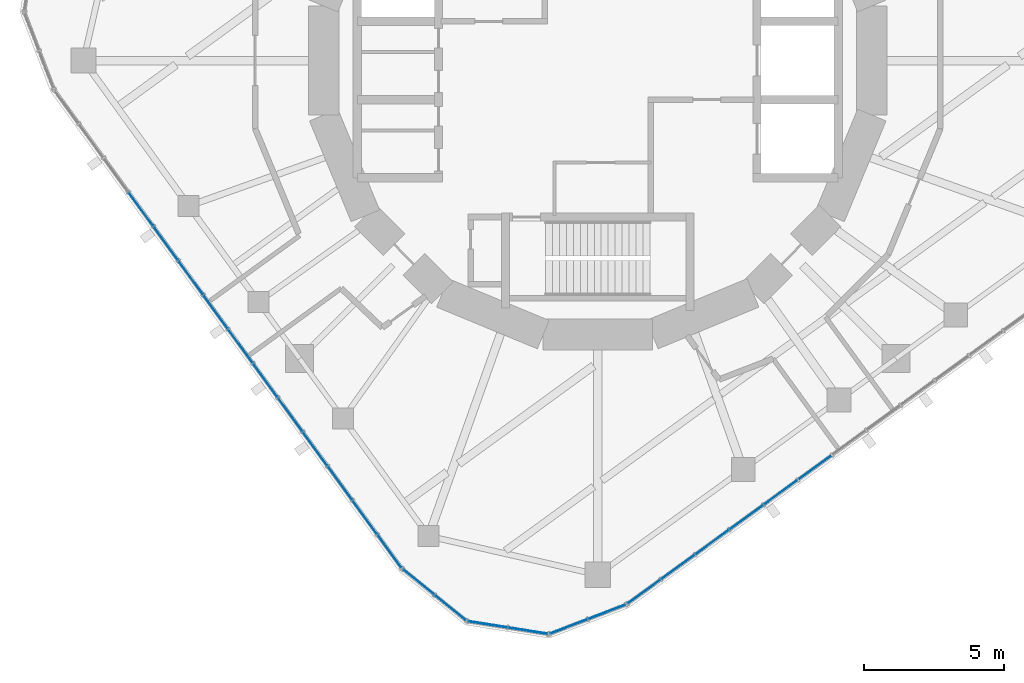
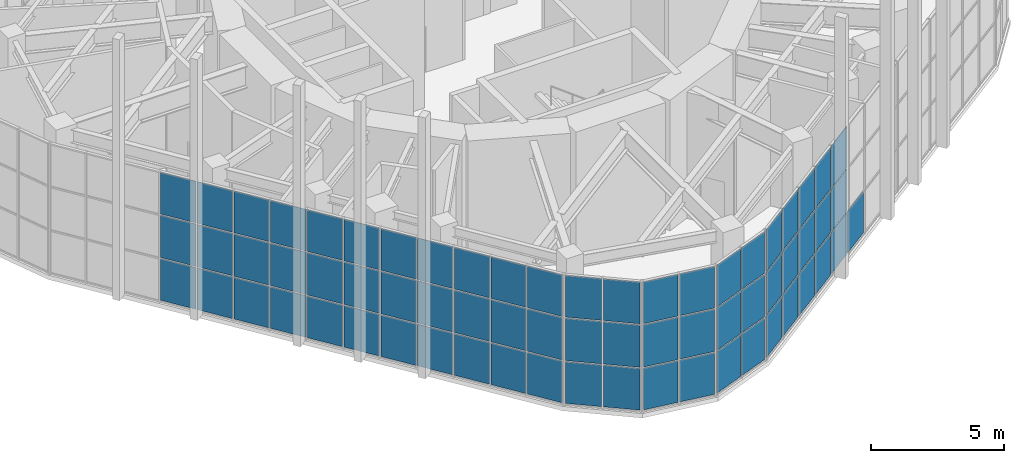
# One storey, part 11 of 17: 67 plates, 5 elements without a shape of their own.
"""IFC4 building model written with IfcOpenShell, lengths in metres."""

from ifc_helpers import new_model, si_unit, direction, frame, origin, origin_2d, place, context, subcontext, project, spatial, rectangle, extrude, material, layer, layer_set, type_object, element, aggregate, save


model = new_model("IFC4")

# Units and contexts
model_context = context("Model", 3, precision=1e-05, world=origin(), true_north=direction((0.0, 1.0)))
body_context = subcontext(model_context, "Body", "Model", "MODEL_VIEW")
ifc_project = project(units=[si_unit("LENGTHUNIT", "METRE"), si_unit("AREAUNIT", "SQUARE_METRE"), si_unit("VOLUMEUNIT", "CUBIC_METRE"), si_unit("PLANEANGLEUNIT", "RADIAN"), si_unit("MASSUNIT", "GRAM", prefix="KILO")], contexts=[model_context])

# Site, building, storey
site_placement = place(None, origin())
site = spatial("IfcSite", under=ifc_project, at=site_placement, CompositionType="ELEMENT")
building_placement = place(site_placement, origin())
building = spatial("IfcBuilding", under=site, at=building_placement, Name="Nakasero Lantern House", CompositionType="ELEMENT")
storey_placement = place(building_placement, frame((0.0, 0.0, 298.39990234375)))
storey = spatial("IfcBuildingStorey", under=building, at=storey_placement, Name="L73", CompositionType="ELEMENT", Elevation=298.39990234375)

# Curtain wall, plates
ifc_material_1 = material(Name="Aluminium 6063-T6 and glass", Category="aluminium")
curtain_wall_type = type_object("IfcCurtainWallType", Name="Lantern glazing CW-4", PredefinedType="USERDEFINED", material=ifc_material_1)
curtain_wall_1_placement = place(storey_placement, origin())
curtain_wall_1 = element("IfcCurtainWall", 1, at=curtain_wall_1_placement, inside=storey, type_object=curtain_wall_type, Name="Curtain wall CW-4 L73", ObjectType="UNITISED CURTAIN WALL", PredefinedType="USERDEFINED")
ifc_material_2 = material(Name="Glass", Category="glass")
ifc_layer = layer(ifc_material_2, 0.028076171875)
ifc_layer_set = layer_set([ifc_layer], Name="Glazed panel CW-4")
plate_type = type_object("IfcPlateType", Name="Glazed panel CW-4", PredefinedType="CURTAIN_PANEL", material=ifc_layer_set)
plate_1_placement = place(storey_placement, frame((-16.3427734375, -5.322509765625, 0.06005859375), z_axis=(0.0, 0.0, 1.0), x_axis=(0.587785252292, -0.809016994375, 0.0)))
plate_1 = element("IfcPlate", 2, at=plate_1_placement, type_object=plate_type, Name="CW-4 panel 4.1", PredefinedType="CURTAIN_PANEL", context=body_context, shape_type="SweptSolid", body=[
    extrude(rectangle(XDim=1.454345703125, YDim=0.028076171875, at=origin_2d()), origin(), (0.0, 0.0, 1.0), 1.909912109375),
])
plate_2_placement = place(storey_placement, frame((-16.3427734375, -5.322509765625, 2.030029296875), z_axis=(0.0, 0.0, 1.0), x_axis=(0.587785252292, -0.809016994375, 0.0)))
plate_2 = element("IfcPlate", 3, at=plate_2_placement, type_object=plate_type, Name="CW-4 panel 4.2", PredefinedType="CURTAIN_PANEL", context=body_context, shape_type="SweptSolid", body=[
    extrude(rectangle(XDim=1.454345703125, YDim=0.028076171875, at=origin_2d()), origin(), (0.0, 0.0, 1.0), 1.93994140625),
])
plate_3_placement = place(storey_placement, frame((-16.3427734375, -5.322509765625, 4.0302734375), z_axis=(0.0, 0.0, 1.0), x_axis=(0.587785252292, -0.809016994375, 0.0)))
plate_3 = element("IfcPlate", 4, at=plate_3_placement, type_object=plate_type, Name="CW-4 panel 4.3", PredefinedType="CURTAIN_PANEL", context=body_context, shape_type="SweptSolid", body=[
    extrude(rectangle(XDim=1.454345703125, YDim=0.028076171875, at=origin_2d()), origin(), (0.0, 0.0, 1.0), 1.909912109375),
])
plate_4_placement = place(storey_placement, frame((-15.45263671875, -6.547607421875, 0.06005859375), z_axis=(0.0, 0.0, 1.0), x_axis=(0.587785252292, -0.809016994375, 0.0)))
plate_4 = element("IfcPlate", 5, at=plate_4_placement, type_object=plate_type, Name="CW-4 panel 5.1", PredefinedType="CURTAIN_PANEL", context=body_context, shape_type="SweptSolid", body=[
    extrude(rectangle(XDim=1.454345703125, YDim=0.028076171875, at=origin_2d()), origin(), (0.0, 0.0, 1.0), 1.909912109375),
])
plate_5_placement = place(storey_placement, frame((-15.45263671875, -6.547607421875, 2.030029296875), z_axis=(0.0, 0.0, 1.0), x_axis=(0.587785252292, -0.809016994375, 0.0)))
plate_5 = element("IfcPlate", 6, at=plate_5_placement, type_object=plate_type, Name="CW-4 panel 5.2", PredefinedType="CURTAIN_PANEL", context=body_context, shape_type="SweptSolid", body=[
    extrude(rectangle(XDim=1.454345703125, YDim=0.028076171875, at=origin_2d()), origin(), (0.0, 0.0, 1.0), 1.93994140625),
])
plate_6_placement = place(storey_placement, frame((-15.45263671875, -6.547607421875, 4.0302734375), z_axis=(0.0, 0.0, 1.0), x_axis=(0.587785252292, -0.809016994375, 0.0)))
plate_6 = element("IfcPlate", 7, at=plate_6_placement, type_object=plate_type, Name="CW-4 panel 5.3", PredefinedType="CURTAIN_PANEL", context=body_context, shape_type="SweptSolid", body=[
    extrude(rectangle(XDim=1.454345703125, YDim=0.028076171875, at=origin_2d()), origin(), (0.0, 0.0, 1.0), 1.909912109375),
])
plate_7_placement = place(storey_placement, frame((-14.5625, -7.772705078125, 0.06005859375), z_axis=(0.0, 0.0, 1.0), x_axis=(0.587785252292, -0.809016994375, 0.0)))
plate_7 = element("IfcPlate", 8, at=plate_7_placement, type_object=plate_type, Name="CW-4 panel 6.1", PredefinedType="CURTAIN_PANEL", context=body_context, shape_type="SweptSolid", body=[
    extrude(rectangle(XDim=1.454345703125, YDim=0.028076171875, at=origin_2d()), origin(), (0.0, 0.0, 1.0), 1.909912109375),
])
plate_8_placement = place(storey_placement, frame((-14.5625, -7.772705078125, 2.030029296875), z_axis=(0.0, 0.0, 1.0), x_axis=(0.587785252292, -0.809016994375, 0.0)))
plate_8 = element("IfcPlate", 9, at=plate_8_placement, type_object=plate_type, Name="CW-4 panel 6.2", PredefinedType="CURTAIN_PANEL", context=body_context, shape_type="SweptSolid", body=[
    extrude(rectangle(XDim=1.454345703125, YDim=0.028076171875, at=origin_2d()), origin(), (0.0, 0.0, 1.0), 1.93994140625),
])
plate_9_placement = place(storey_placement, frame((-14.5625, -7.772705078125, 4.0302734375), z_axis=(0.0, 0.0, 1.0), x_axis=(0.587785252292, -0.809016994375, 0.0)))
plate_9 = element("IfcPlate", 10, at=plate_9_placement, type_object=plate_type, Name="CW-4 panel 6.3", PredefinedType="CURTAIN_PANEL", context=body_context, shape_type="SweptSolid", body=[
    extrude(rectangle(XDim=1.454345703125, YDim=0.028076171875, at=origin_2d()), origin(), (0.0, 0.0, 1.0), 1.909912109375),
])
plate_10_placement = place(storey_placement, frame((-13.67236328125, -8.997802734375, 0.06005859375), z_axis=(0.0, 0.0, 1.0), x_axis=(0.587785252292, -0.809016994375, 0.0)))
plate_10 = element("IfcPlate", 11, at=plate_10_placement, type_object=plate_type, Name="CW-4 panel 7.1", PredefinedType="CURTAIN_PANEL", context=body_context, shape_type="SweptSolid", body=[
    extrude(rectangle(XDim=1.454345703125, YDim=0.028076171875, at=origin_2d()), origin(), (0.0, 0.0, 1.0), 1.909912109375),
])
plate_11_placement = place(storey_placement, frame((-13.67236328125, -8.997802734375, 2.030029296875), z_axis=(0.0, 0.0, 1.0), x_axis=(0.587785252292, -0.809016994375, 0.0)))
plate_11 = element("IfcPlate", 12, at=plate_11_placement, type_object=plate_type, Name="CW-4 panel 7.2", PredefinedType="CURTAIN_PANEL", context=body_context, shape_type="SweptSolid", body=[
    extrude(rectangle(XDim=1.454345703125, YDim=0.028076171875, at=origin_2d()), origin(), (0.0, 0.0, 1.0), 1.93994140625),
])
plate_12_placement = place(storey_placement, frame((-13.67236328125, -8.997802734375, 4.0302734375), z_axis=(0.0, 0.0, 1.0), x_axis=(0.587785252292, -0.809016994375, 0.0)))
plate_12 = element("IfcPlate", 13, at=plate_12_placement, type_object=plate_type, Name="CW-4 panel 7.3", PredefinedType="CURTAIN_PANEL", context=body_context, shape_type="SweptSolid", body=[
    extrude(rectangle(XDim=1.454345703125, YDim=0.028076171875, at=origin_2d()), origin(), (0.0, 0.0, 1.0), 1.909912109375),
])
plate_13_placement = place(storey_placement, frame((-12.782470703125, -10.222900390625, 0.06005859375), z_axis=(0.0, 0.0, 1.0), x_axis=(0.587785252292, -0.809016994375, 0.0)))
plate_13 = element("IfcPlate", 14, at=plate_13_placement, type_object=plate_type, Name="CW-4 panel 8.1", PredefinedType="CURTAIN_PANEL", context=body_context, shape_type="SweptSolid", body=[
    extrude(rectangle(XDim=1.454345703125, YDim=0.028076171875, at=origin_2d()), origin(), (0.0, 0.0, 1.0), 1.909912109375),
])
plate_14_placement = place(storey_placement, frame((-12.782470703125, -10.222900390625, 2.030029296875), z_axis=(0.0, 0.0, 1.0), x_axis=(0.587785252292, -0.809016994375, 0.0)))
plate_14 = element("IfcPlate", 15, at=plate_14_placement, type_object=plate_type, Name="CW-4 panel 8.2", PredefinedType="CURTAIN_PANEL", context=body_context, shape_type="SweptSolid", body=[
    extrude(rectangle(XDim=1.454345703125, YDim=0.028076171875, at=origin_2d()), origin(), (0.0, 0.0, 1.0), 1.93994140625),
])
plate_15_placement = place(storey_placement, frame((-12.782470703125, -10.222900390625, 4.0302734375), z_axis=(0.0, 0.0, 1.0), x_axis=(0.587785252292, -0.809016994375, 0.0)))
plate_15 = element("IfcPlate", 16, at=plate_15_placement, type_object=plate_type, Name="CW-4 panel 8.3", PredefinedType="CURTAIN_PANEL", context=body_context, shape_type="SweptSolid", body=[
    extrude(rectangle(XDim=1.454345703125, YDim=0.028076171875, at=origin_2d()), origin(), (0.0, 0.0, 1.0), 1.909912109375),
])
plate_16_placement = place(storey_placement, frame((-11.892333984375, -11.447998046875, 0.06005859375), z_axis=(0.0, 0.0, 1.0), x_axis=(0.587785252292, -0.809016994375, 0.0)))
plate_16 = element("IfcPlate", 17, at=plate_16_placement, type_object=plate_type, Name="CW-4 panel 9.1", PredefinedType="CURTAIN_PANEL", context=body_context, shape_type="SweptSolid", body=[
    extrude(rectangle(XDim=1.454345703125, YDim=0.028076171875, at=origin_2d()), origin(), (0.0, 0.0, 1.0), 1.909912109375),
])
plate_17_placement = place(storey_placement, frame((-11.892333984375, -11.447998046875, 2.030029296875), z_axis=(0.0, 0.0, 1.0), x_axis=(0.587785252292, -0.809016994375, 0.0)))
plate_17 = element("IfcPlate", 18, at=plate_17_placement, type_object=plate_type, Name="CW-4 panel 9.2", PredefinedType="CURTAIN_PANEL", context=body_context, shape_type="SweptSolid", body=[
    extrude(rectangle(XDim=1.454345703125, YDim=0.028076171875, at=origin_2d()), origin(), (0.0, 0.0, 1.0), 1.93994140625),
])
plate_18_placement = place(storey_placement, frame((-11.892333984375, -11.447998046875, 4.0302734375), z_axis=(0.0, 0.0, 1.0), x_axis=(0.587785252292, -0.809016994375, 0.0)))
plate_18 = element("IfcPlate", 19, at=plate_18_placement, type_object=plate_type, Name="CW-4 panel 9.3", PredefinedType="CURTAIN_PANEL", context=body_context, shape_type="SweptSolid", body=[
    extrude(rectangle(XDim=1.454345703125, YDim=0.028076171875, at=origin_2d()), origin(), (0.0, 0.0, 1.0), 1.909912109375),
])
plate_19_placement = place(storey_placement, frame((-11.002197265625, -12.673095703125, 0.06005859375), z_axis=(0.0, 0.0, 1.0), x_axis=(0.587785252292, -0.809016994375, 0.0)))
plate_19 = element("IfcPlate", 20, at=plate_19_placement, type_object=plate_type, Name="CW-4 panel 10.1", PredefinedType="CURTAIN_PANEL", context=body_context, shape_type="SweptSolid", body=[
    extrude(rectangle(XDim=1.454345703125, YDim=0.028076171875, at=origin_2d()), origin(), (0.0, 0.0, 1.0), 1.909912109375),
])
plate_20_placement = place(storey_placement, frame((-11.002197265625, -12.673095703125, 2.030029296875), z_axis=(0.0, 0.0, 1.0), x_axis=(0.587785252292, -0.809016994375, 0.0)))
plate_20 = element("IfcPlate", 21, at=plate_20_placement, type_object=plate_type, Name="CW-4 panel 10.2", PredefinedType="CURTAIN_PANEL", context=body_context, shape_type="SweptSolid", body=[
    extrude(rectangle(XDim=1.454345703125, YDim=0.028076171875, at=origin_2d()), origin(), (0.0, 0.0, 1.0), 1.93994140625),
])
plate_21_placement = place(storey_placement, frame((-11.002197265625, -12.673095703125, 4.0302734375), z_axis=(0.0, 0.0, 1.0), x_axis=(0.587785252292, -0.809016994375, 0.0)))
plate_21 = element("IfcPlate", 22, at=plate_21_placement, type_object=plate_type, Name="CW-4 panel 10.3", PredefinedType="CURTAIN_PANEL", context=body_context, shape_type="SweptSolid", body=[
    extrude(rectangle(XDim=1.454345703125, YDim=0.028076171875, at=origin_2d()), origin(), (0.0, 0.0, 1.0), 1.909912109375),
])
plate_22_placement = place(storey_placement, frame((-10.112060546875, -13.898193359375, 0.06005859375), z_axis=(0.0, 0.0, 1.0), x_axis=(0.587785252292, -0.809016994375, 0.0)))
plate_22 = element("IfcPlate", 23, at=plate_22_placement, type_object=plate_type, Name="CW-4 panel 11.1", PredefinedType="CURTAIN_PANEL", context=body_context, shape_type="SweptSolid", body=[
    extrude(rectangle(XDim=1.454345703125, YDim=0.028076171875, at=origin_2d()), origin(), (0.0, 0.0, 1.0), 1.909912109375),
])
plate_23_placement = place(storey_placement, frame((-10.112060546875, -13.898193359375, 2.030029296875), z_axis=(0.0, 0.0, 1.0), x_axis=(0.587785252292, -0.809016994375, 0.0)))
plate_23 = element("IfcPlate", 24, at=plate_23_placement, type_object=plate_type, Name="CW-4 panel 11.2", PredefinedType="CURTAIN_PANEL", context=body_context, shape_type="SweptSolid", body=[
    extrude(rectangle(XDim=1.454345703125, YDim=0.028076171875, at=origin_2d()), origin(), (0.0, 0.0, 1.0), 1.93994140625),
])
plate_24_placement = place(storey_placement, frame((-10.112060546875, -13.898193359375, 4.0302734375), z_axis=(0.0, 0.0, 1.0), x_axis=(0.587785252292, -0.809016994375, 0.0)))
plate_24 = element("IfcPlate", 25, at=plate_24_placement, type_object=plate_type, Name="CW-4 panel 11.3", PredefinedType="CURTAIN_PANEL", context=body_context, shape_type="SweptSolid", body=[
    extrude(rectangle(XDim=1.454345703125, YDim=0.028076171875, at=origin_2d()), origin(), (0.0, 0.0, 1.0), 1.909912109375),
])
plate_25_placement = place(storey_placement, frame((-9.22216796875, -15.123046875, 0.06005859375), z_axis=(0.0, 0.0, 1.0), x_axis=(0.587785252292, -0.809016994375, 0.0)))
plate_25 = element("IfcPlate", 26, at=plate_25_placement, type_object=plate_type, Name="CW-4 panel 12.1", PredefinedType="CURTAIN_PANEL", context=body_context, shape_type="SweptSolid", body=[
    extrude(rectangle(XDim=1.454345703125, YDim=0.028076171875, at=origin_2d()), origin(), (0.0, 0.0, 1.0), 1.909912109375),
])
plate_26_placement = place(storey_placement, frame((-9.22216796875, -15.123046875, 2.030029296875), z_axis=(0.0, 0.0, 1.0), x_axis=(0.587785252292, -0.809016994375, 0.0)))
plate_26 = element("IfcPlate", 27, at=plate_26_placement, type_object=plate_type, Name="CW-4 panel 12.2", PredefinedType="CURTAIN_PANEL", context=body_context, shape_type="SweptSolid", body=[
    extrude(rectangle(XDim=1.454345703125, YDim=0.028076171875, at=origin_2d()), origin(), (0.0, 0.0, 1.0), 1.93994140625),
])
plate_27_placement = place(storey_placement, frame((-9.22216796875, -15.123046875, 4.0302734375), z_axis=(0.0, 0.0, 1.0), x_axis=(0.587785252292, -0.809016994375, 0.0)))
plate_27 = element("IfcPlate", 28, at=plate_27_placement, type_object=plate_type, Name="CW-4 panel 12.3", PredefinedType="CURTAIN_PANEL", context=body_context, shape_type="SweptSolid", body=[
    extrude(rectangle(XDim=1.454345703125, YDim=0.028076171875, at=origin_2d()), origin(), (0.0, 0.0, 1.0), 1.909912109375),
])
plate_28_placement = place(storey_placement, frame((-8.33203125, -16.34814453125, 0.06005859375), z_axis=(0.0, 0.0, 1.0), x_axis=(0.587785252292, -0.809016994375, 0.0)))
plate_28 = element("IfcPlate", 29, at=plate_28_placement, type_object=plate_type, Name="CW-4 panel 13.1", PredefinedType="CURTAIN_PANEL", context=body_context, shape_type="SweptSolid", body=[
    extrude(rectangle(XDim=1.454345703125, YDim=0.028076171875, at=origin_2d()), origin(), (0.0, 0.0, 1.0), 1.909912109375),
])
plate_29_placement = place(storey_placement, frame((-8.33203125, -16.34814453125, 2.030029296875), z_axis=(0.0, 0.0, 1.0), x_axis=(0.587785252292, -0.809016994375, 0.0)))
plate_29 = element("IfcPlate", 30, at=plate_29_placement, type_object=plate_type, Name="CW-4 panel 13.2", PredefinedType="CURTAIN_PANEL", context=body_context, shape_type="SweptSolid", body=[
    extrude(rectangle(XDim=1.454345703125, YDim=0.028076171875, at=origin_2d()), origin(), (0.0, 0.0, 1.0), 1.93994140625),
])
plate_30_placement = place(storey_placement, frame((-8.33203125, -16.34814453125, 4.0302734375), z_axis=(0.0, 0.0, 1.0), x_axis=(0.587785252292, -0.809016994375, 0.0)))
plate_30 = element("IfcPlate", 31, at=plate_30_placement, type_object=plate_type, Name="CW-4 panel 13.3", PredefinedType="CURTAIN_PANEL", context=body_context, shape_type="SweptSolid", body=[
    extrude(rectangle(XDim=1.454345703125, YDim=0.028076171875, at=origin_2d()), origin(), (0.0, 0.0, 1.0), 1.909912109375),
])
plate_31_placement = place(storey_placement, frame((-7.45068359375, -17.561279296875, 0.06005859375), z_axis=(0.0, 0.0, 1.0), x_axis=(0.587785252292, -0.809016994375, 0.0)))
plate_31 = element("IfcPlate", 32, at=plate_31_placement, type_object=plate_type, Name="CW-4 panel 14.1", PredefinedType="CURTAIN_PANEL", context=body_context, shape_type="SweptSolid", body=[
    extrude(rectangle(XDim=1.42431640625, YDim=0.028076171875, at=origin_2d()), origin(), (0.0, 0.0, 1.0), 1.909912109375),
])
plate_32_placement = place(storey_placement, frame((-7.45068359375, -17.561279296875, 2.030029296875), z_axis=(0.0, 0.0, 1.0), x_axis=(0.587785252292, -0.809016994375, 0.0)))
plate_32 = element("IfcPlate", 33, at=plate_32_placement, type_object=plate_type, Name="CW-4 panel 14.2", PredefinedType="CURTAIN_PANEL", context=body_context, shape_type="SweptSolid", body=[
    extrude(rectangle(XDim=1.42431640625, YDim=0.028076171875, at=origin_2d()), origin(), (0.0, 0.0, 1.0), 1.93994140625),
])
plate_33_placement = place(storey_placement, frame((-7.45068359375, -17.561279296875, 4.0302734375), z_axis=(0.0, 0.0, 1.0), x_axis=(0.587785252292, -0.809016994375, 0.0)))
plate_33 = element("IfcPlate", 34, at=plate_33_placement, type_object=plate_type, Name="CW-4 panel 14.3", PredefinedType="CURTAIN_PANEL", context=body_context, shape_type="SweptSolid", body=[
    extrude(rectangle(XDim=1.42431640625, YDim=0.028076171875, at=origin_2d()), origin(), (0.0, 0.0, 1.0), 1.909912109375),
])
aggregate(curtain_wall_1, [plate_1, plate_2, plate_3, plate_4, plate_5, plate_6, plate_7, plate_8, plate_9, plate_10, plate_11, plate_12, plate_13, plate_14, plate_15, plate_16, plate_17, plate_18, plate_19, plate_20, plate_21, plate_22, plate_23, plate_24, plate_25, plate_26, plate_27, plate_28, plate_29, plate_30, plate_31, plate_32, plate_33])

curtain_wall_2_placement = place(storey_placement, origin())
curtain_wall_2 = element("IfcCurtainWall", 35, at=curtain_wall_2_placement, inside=storey, type_object=curtain_wall_type, Name="Curtain wall CW-4 L73", ObjectType="UNITISED CURTAIN WALL", PredefinedType="USERDEFINED")
plate_34_placement = place(storey_placement, frame((-6.406982421875, -18.66357421875, 0.06005859375), z_axis=(0.0, 0.0, 1.0), x_axis=(0.777145961424, -0.629320391091, 0.0)))
plate_34 = element("IfcPlate", 36, at=plate_34_placement, type_object=plate_type, Name="CW-4 panel 1.1", PredefinedType="CURTAIN_PANEL", context=body_context, shape_type="SweptSolid", body=[
    extrude(rectangle(XDim=1.398193359375, YDim=0.028076171875, at=origin_2d()), origin(), (0.0, 0.0, 1.0), 1.909912109375),
])
plate_35_placement = place(storey_placement, frame((-6.406982421875, -18.66357421875, 2.030029296875), z_axis=(0.0, 0.0, 1.0), x_axis=(0.777145961424, -0.629320391091, 0.0)))
plate_35 = element("IfcPlate", 37, at=plate_35_placement, type_object=plate_type, Name="CW-4 panel 1.2", PredefinedType="CURTAIN_PANEL", context=body_context, shape_type="SweptSolid", body=[
    extrude(rectangle(XDim=1.398193359375, YDim=0.028076171875, at=origin_2d()), origin(), (0.0, 0.0, 1.0), 1.93994140625),
])
plate_36_placement = place(storey_placement, frame((-6.406982421875, -18.66357421875, 4.0302734375), z_axis=(0.0, 0.0, 1.0), x_axis=(0.777145961424, -0.629320391091, 0.0)))
plate_36 = element("IfcPlate", 38, at=plate_36_placement, type_object=plate_type, Name="CW-4 panel 1.3", PredefinedType="CURTAIN_PANEL", context=body_context, shape_type="SweptSolid", body=[
    extrude(rectangle(XDim=1.398193359375, YDim=0.028076171875, at=origin_2d()), origin(), (0.0, 0.0, 1.0), 1.909912109375),
])
plate_37_placement = place(storey_placement, frame((-5.273681640625, -19.581298828125, 0.06005859375), z_axis=(0.0, 0.0, 1.0), x_axis=(0.777145961424, -0.629320391091, 0.0)))
plate_37 = element("IfcPlate", 39, at=plate_37_placement, type_object=plate_type, Name="CW-4 panel 2.1", PredefinedType="CURTAIN_PANEL", context=body_context, shape_type="SweptSolid", body=[
    extrude(rectangle(XDim=1.398193359375, YDim=0.028076171875, at=origin_2d()), origin(), (0.0, 0.0, 1.0), 1.909912109375),
])
plate_38_placement = place(storey_placement, frame((-5.273681640625, -19.581298828125, 2.030029296875), z_axis=(0.0, 0.0, 1.0), x_axis=(0.777145961424, -0.629320391091, 0.0)))
plate_38 = element("IfcPlate", 40, at=plate_38_placement, type_object=plate_type, Name="CW-4 panel 2.2", PredefinedType="CURTAIN_PANEL", context=body_context, shape_type="SweptSolid", body=[
    extrude(rectangle(XDim=1.398193359375, YDim=0.028076171875, at=origin_2d()), origin(), (0.0, 0.0, 1.0), 1.93994140625),
])
plate_39_placement = place(storey_placement, frame((-5.273681640625, -19.581298828125, 4.0302734375), z_axis=(0.0, 0.0, 1.0), x_axis=(0.777145961424, -0.629320391091, 0.0)))
plate_39 = element("IfcPlate", 41, at=plate_39_placement, type_object=plate_type, Name="CW-4 panel 2.3", PredefinedType="CURTAIN_PANEL", context=body_context, shape_type="SweptSolid", body=[
    extrude(rectangle(XDim=1.398193359375, YDim=0.028076171875, at=origin_2d()), origin(), (0.0, 0.0, 1.0), 1.909912109375),
])
aggregate(curtain_wall_2, [plate_34, plate_35, plate_36, plate_37, plate_38, plate_39])

curtain_wall_3_placement = place(storey_placement, origin())
curtain_wall_3 = element("IfcCurtainWall", 42, at=curtain_wall_3_placement, inside=storey, type_object=curtain_wall_type, Name="Curtain wall CW-4 L73", ObjectType="UNITISED CURTAIN WALL", PredefinedType="USERDEFINED")
plate_40_placement = place(storey_placement, frame((-3.93408203125, -20.177734375, 0.06005859375), z_axis=(0.0, 0.0, 1.0), x_axis=(0.987688340595, -0.15643446504, 0.0)))
plate_40 = element("IfcPlate", 43, at=plate_40_placement, type_object=plate_type, Name="CW-4 panel 1.1", PredefinedType="CURTAIN_PANEL", context=body_context, shape_type="SweptSolid", body=[
    extrude(rectangle(XDim=1.398193359375, YDim=0.028076171875, at=origin_2d()), origin(), (0.0, 0.0, 1.0), 1.909912109375),
])
plate_41_placement = place(storey_placement, frame((-3.93408203125, -20.177734375, 2.030029296875), z_axis=(0.0, 0.0, 1.0), x_axis=(0.987688340595, -0.15643446504, 0.0)))
plate_41 = element("IfcPlate", 44, at=plate_41_placement, type_object=plate_type, Name="CW-4 panel 1.2", PredefinedType="CURTAIN_PANEL", context=body_context, shape_type="SweptSolid", body=[
    extrude(rectangle(XDim=1.398193359375, YDim=0.028076171875, at=origin_2d()), origin(), (0.0, 0.0, 1.0), 1.93994140625),
])
plate_42_placement = place(storey_placement, frame((-3.93408203125, -20.177734375, 4.0302734375), z_axis=(0.0, 0.0, 1.0), x_axis=(0.987688340595, -0.15643446504, 0.0)))
plate_42 = element("IfcPlate", 45, at=plate_42_placement, type_object=plate_type, Name="CW-4 panel 1.3", PredefinedType="CURTAIN_PANEL", context=body_context, shape_type="SweptSolid", body=[
    extrude(rectangle(XDim=1.398193359375, YDim=0.028076171875, at=origin_2d()), origin(), (0.0, 0.0, 1.0), 1.909912109375),
])
plate_43_placement = place(storey_placement, frame((-2.493896484375, -20.40576171875, 0.06005859375), z_axis=(0.0, 0.0, 1.0), x_axis=(0.987688340595, -0.15643446504, 0.0)))
plate_43 = element("IfcPlate", 46, at=plate_43_placement, type_object=plate_type, Name="CW-4 panel 2.1", PredefinedType="CURTAIN_PANEL", context=body_context, shape_type="SweptSolid", body=[
    extrude(rectangle(XDim=1.398193359375, YDim=0.028076171875, at=origin_2d()), origin(), (0.0, 0.0, 1.0), 1.909912109375),
])
plate_44_placement = place(storey_placement, frame((-2.493896484375, -20.40576171875, 2.030029296875), z_axis=(0.0, 0.0, 1.0), x_axis=(0.987688340595, -0.15643446504, 0.0)))
plate_44 = element("IfcPlate", 47, at=plate_44_placement, type_object=plate_type, Name="CW-4 panel 2.2", PredefinedType="CURTAIN_PANEL", context=body_context, shape_type="SweptSolid", body=[
    extrude(rectangle(XDim=1.398193359375, YDim=0.028076171875, at=origin_2d()), origin(), (0.0, 0.0, 1.0), 1.93994140625),
])
plate_45_placement = place(storey_placement, frame((-2.493896484375, -20.40576171875, 4.0302734375), z_axis=(0.0, 0.0, 1.0), x_axis=(0.987688340595, -0.15643446504, 0.0)))
plate_45 = element("IfcPlate", 48, at=plate_45_placement, type_object=plate_type, Name="CW-4 panel 2.3", PredefinedType="CURTAIN_PANEL", context=body_context, shape_type="SweptSolid", body=[
    extrude(rectangle(XDim=1.398193359375, YDim=0.028076171875, at=origin_2d()), origin(), (0.0, 0.0, 1.0), 1.909912109375),
])
aggregate(curtain_wall_3, [plate_40, plate_41, plate_42, plate_43, plate_44, plate_45])

curtain_wall_4_placement = place(storey_placement, origin())
curtain_wall_4 = element("IfcCurtainWall", 49, at=curtain_wall_4_placement, inside=storey, type_object=curtain_wall_type, Name="Curtain wall CW-4 L73", ObjectType="UNITISED CURTAIN WALL", PredefinedType="USERDEFINED")
plate_46_placement = place(storey_placement, frame((-1.035400390625, -20.252685546875, 0.06005859375), z_axis=(0.0, 0.0, 1.0), x_axis=(0.933580426472, 0.35836794961, 0.0)))
plate_46 = element("IfcPlate", 50, at=plate_46_placement, type_object=plate_type, Name="CW-4 panel 1.1", PredefinedType="CURTAIN_PANEL", context=body_context, shape_type="SweptSolid", body=[
    extrude(rectangle(XDim=1.398193359375, YDim=0.028076171875, at=origin_2d()), origin(), (0.0, 0.0, 1.0), 1.909912109375),
])
plate_47_placement = place(storey_placement, frame((-1.035400390625, -20.252685546875, 2.030029296875), z_axis=(0.0, 0.0, 1.0), x_axis=(0.933580426472, 0.35836794961, 0.0)))
plate_47 = element("IfcPlate", 51, at=plate_47_placement, type_object=plate_type, Name="CW-4 panel 1.2", PredefinedType="CURTAIN_PANEL", context=body_context, shape_type="SweptSolid", body=[
    extrude(rectangle(XDim=1.398193359375, YDim=0.028076171875, at=origin_2d()), origin(), (0.0, 0.0, 1.0), 1.93994140625),
])
plate_48_placement = place(storey_placement, frame((-1.035400390625, -20.252685546875, 4.0302734375), z_axis=(0.0, 0.0, 1.0), x_axis=(0.933580426472, 0.35836794961, 0.0)))
plate_48 = element("IfcPlate", 52, at=plate_48_placement, type_object=plate_type, Name="CW-4 panel 1.3", PredefinedType="CURTAIN_PANEL", context=body_context, shape_type="SweptSolid", body=[
    extrude(rectangle(XDim=1.398193359375, YDim=0.028076171875, at=origin_2d()), origin(), (0.0, 0.0, 1.0), 1.909912109375),
])
plate_49_placement = place(storey_placement, frame((0.325927734375, -19.72998046875, 0.06005859375), z_axis=(0.0, 0.0, 1.0), x_axis=(0.933580426472, 0.35836794961, 0.0)))
plate_49 = element("IfcPlate", 53, at=plate_49_placement, type_object=plate_type, Name="CW-4 panel 2.1", PredefinedType="CURTAIN_PANEL", context=body_context, shape_type="SweptSolid", body=[
    extrude(rectangle(XDim=1.398193359375, YDim=0.028076171875, at=origin_2d()), origin(), (0.0, 0.0, 1.0), 1.909912109375),
])
plate_50_placement = place(storey_placement, frame((0.325927734375, -19.72998046875, 2.030029296875), z_axis=(0.0, 0.0, 1.0), x_axis=(0.933580426472, 0.35836794961, 0.0)))
plate_50 = element("IfcPlate", 54, at=plate_50_placement, type_object=plate_type, Name="CW-4 panel 2.2", PredefinedType="CURTAIN_PANEL", context=body_context, shape_type="SweptSolid", body=[
    extrude(rectangle(XDim=1.398193359375, YDim=0.028076171875, at=origin_2d()), origin(), (0.0, 0.0, 1.0), 1.93994140625),
])
plate_51_placement = place(storey_placement, frame((0.325927734375, -19.72998046875, 4.0302734375), z_axis=(0.0, 0.0, 1.0), x_axis=(0.933580426472, 0.35836794961, 0.0)))
plate_51 = element("IfcPlate", 55, at=plate_51_placement, type_object=plate_type, Name="CW-4 panel 2.3", PredefinedType="CURTAIN_PANEL", context=body_context, shape_type="SweptSolid", body=[
    extrude(rectangle(XDim=1.398193359375, YDim=0.028076171875, at=origin_2d()), origin(), (0.0, 0.0, 1.0), 1.909912109375),
])
aggregate(curtain_wall_4, [plate_46, plate_47, plate_48, plate_49, plate_50, plate_51])

curtain_wall_5_placement = place(storey_placement, origin())
curtain_wall_5 = element("IfcCurtainWall", 56, at=curtain_wall_5_placement, inside=storey, type_object=curtain_wall_type, Name="Curtain wall CW-4 L73", ObjectType="UNITISED CURTAIN WALL", PredefinedType="USERDEFINED")
plate_52_placement = place(storey_placement, frame((1.659423828125, -19.004150390625, 0.06005859375), z_axis=(0.0, 0.0, 1.0), x_axis=(0.809016994375, 0.587785252292, 0.0)))
plate_52 = element("IfcPlate", 57, at=plate_52_placement, type_object=plate_type, Name="CW-4 panel 1.1", PredefinedType="CURTAIN_PANEL", context=body_context, shape_type="SweptSolid", body=[
    extrude(rectangle(XDim=1.42431640625, YDim=0.028076171875, at=origin_2d()), origin(), (0.0, 0.0, 1.0), 1.909912109375),
])
plate_53_placement = place(storey_placement, frame((1.659423828125, -19.004150390625, 2.030029296875), z_axis=(0.0, 0.0, 1.0), x_axis=(0.809016994375, 0.587785252292, 0.0)))
plate_53 = element("IfcPlate", 58, at=plate_53_placement, type_object=plate_type, Name="CW-4 panel 1.2", PredefinedType="CURTAIN_PANEL", context=body_context, shape_type="SweptSolid", body=[
    extrude(rectangle(XDim=1.42431640625, YDim=0.028076171875, at=origin_2d()), origin(), (0.0, 0.0, 1.0), 1.93994140625),
])
plate_54_placement = place(storey_placement, frame((1.659423828125, -19.004150390625, 4.0302734375), z_axis=(0.0, 0.0, 1.0), x_axis=(0.809016994375, 0.587785252292, 0.0)))
plate_54 = element("IfcPlate", 59, at=plate_54_placement, type_object=plate_type, Name="CW-4 panel 1.3", PredefinedType="CURTAIN_PANEL", context=body_context, shape_type="SweptSolid", body=[
    extrude(rectangle(XDim=1.42431640625, YDim=0.028076171875, at=origin_2d()), origin(), (0.0, 0.0, 1.0), 1.909912109375),
])
plate_55_placement = place(storey_placement, frame((2.872314453125, -18.122802734375, 0.06005859375), z_axis=(0.0, 0.0, 1.0), x_axis=(0.809016994375, 0.587785252292, 0.0)))
plate_55 = element("IfcPlate", 60, at=plate_55_placement, type_object=plate_type, Name="CW-4 panel 2.1", PredefinedType="CURTAIN_PANEL", context=body_context, shape_type="SweptSolid", body=[
    extrude(rectangle(XDim=1.454345703125, YDim=0.028076171875, at=origin_2d()), origin(), (0.0, 0.0, 1.0), 1.909912109375),
])
plate_56_placement = place(storey_placement, frame((2.872314453125, -18.122802734375, 2.030029296875), z_axis=(0.0, 0.0, 1.0), x_axis=(0.809016994375, 0.587785252292, 0.0)))
plate_56 = element("IfcPlate", 61, at=plate_56_placement, type_object=plate_type, Name="CW-4 panel 2.2", PredefinedType="CURTAIN_PANEL", context=body_context, shape_type="SweptSolid", body=[
    extrude(rectangle(XDim=1.454345703125, YDim=0.028076171875, at=origin_2d()), origin(), (0.0, 0.0, 1.0), 1.93994140625),
])
plate_57_placement = place(storey_placement, frame((2.872314453125, -18.122802734375, 4.0302734375), z_axis=(0.0, 0.0, 1.0), x_axis=(0.809016994375, 0.587785252292, 0.0)))
plate_57 = element("IfcPlate", 62, at=plate_57_placement, type_object=plate_type, Name="CW-4 panel 2.3", PredefinedType="CURTAIN_PANEL", context=body_context, shape_type="SweptSolid", body=[
    extrude(rectangle(XDim=1.454345703125, YDim=0.028076171875, at=origin_2d()), origin(), (0.0, 0.0, 1.0), 1.909912109375),
])
plate_58_placement = place(storey_placement, frame((4.097412109375, -17.232666015625, 0.06005859375), z_axis=(0.0, 0.0, 1.0), x_axis=(0.809016994375, 0.587785252292, 0.0)))
plate_58 = element("IfcPlate", 63, at=plate_58_placement, type_object=plate_type, Name="CW-4 panel 3.1", PredefinedType="CURTAIN_PANEL", context=body_context, shape_type="SweptSolid", body=[
    extrude(rectangle(XDim=1.454345703125, YDim=0.028076171875, at=origin_2d()), origin(), (0.0, 0.0, 1.0), 1.909912109375),
])
plate_59_placement = place(storey_placement, frame((4.097412109375, -17.232666015625, 2.030029296875), z_axis=(0.0, 0.0, 1.0), x_axis=(0.809016994375, 0.587785252292, 0.0)))
plate_59 = element("IfcPlate", 64, at=plate_59_placement, type_object=plate_type, Name="CW-4 panel 3.2", PredefinedType="CURTAIN_PANEL", context=body_context, shape_type="SweptSolid", body=[
    extrude(rectangle(XDim=1.454345703125, YDim=0.028076171875, at=origin_2d()), origin(), (0.0, 0.0, 1.0), 1.93994140625),
])
plate_60_placement = place(storey_placement, frame((4.097412109375, -17.232666015625, 4.0302734375), z_axis=(0.0, 0.0, 1.0), x_axis=(0.809016994375, 0.587785252292, 0.0)))
plate_60 = element("IfcPlate", 65, at=plate_60_placement, type_object=plate_type, Name="CW-4 panel 3.3", PredefinedType="CURTAIN_PANEL", context=body_context, shape_type="SweptSolid", body=[
    extrude(rectangle(XDim=1.454345703125, YDim=0.028076171875, at=origin_2d()), origin(), (0.0, 0.0, 1.0), 1.909912109375),
])
plate_61_placement = place(storey_placement, frame((5.322509765625, -16.3427734375, 0.06005859375), z_axis=(0.0, 0.0, 1.0), x_axis=(0.809016994375, 0.587785252292, 0.0)))
plate_61 = element("IfcPlate", 66, at=plate_61_placement, type_object=plate_type, Name="CW-4 panel 4.1", PredefinedType="CURTAIN_PANEL", context=body_context, shape_type="SweptSolid", body=[
    extrude(rectangle(XDim=1.454345703125, YDim=0.028076171875, at=origin_2d()), origin(), (0.0, 0.0, 1.0), 1.909912109375),
])
plate_62_placement = place(storey_placement, frame((5.322509765625, -16.3427734375, 2.030029296875), z_axis=(0.0, 0.0, 1.0), x_axis=(0.809016994375, 0.587785252292, 0.0)))
plate_62 = element("IfcPlate", 67, at=plate_62_placement, type_object=plate_type, Name="CW-4 panel 4.2", PredefinedType="CURTAIN_PANEL", context=body_context, shape_type="SweptSolid", body=[
    extrude(rectangle(XDim=1.454345703125, YDim=0.028076171875, at=origin_2d()), origin(), (0.0, 0.0, 1.0), 1.93994140625),
])
plate_63_placement = place(storey_placement, frame((5.322509765625, -16.3427734375, 4.0302734375), z_axis=(0.0, 0.0, 1.0), x_axis=(0.809016994375, 0.587785252292, 0.0)))
plate_63 = element("IfcPlate", 68, at=plate_63_placement, type_object=plate_type, Name="CW-4 panel 4.3", PredefinedType="CURTAIN_PANEL", context=body_context, shape_type="SweptSolid", body=[
    extrude(rectangle(XDim=1.454345703125, YDim=0.028076171875, at=origin_2d()), origin(), (0.0, 0.0, 1.0), 1.909912109375),
])
plate_64_placement = place(storey_placement, frame((6.547607421875, -15.45263671875, 0.06005859375), z_axis=(0.0, 0.0, 1.0), x_axis=(0.809016994375, 0.587785252292, 0.0)))
plate_64 = element("IfcPlate", 69, at=plate_64_placement, type_object=plate_type, Name="CW-4 panel 5.1", PredefinedType="CURTAIN_PANEL", context=body_context, shape_type="SweptSolid", body=[
    extrude(rectangle(XDim=1.454345703125, YDim=0.028076171875, at=origin_2d()), origin(), (0.0, 0.0, 1.0), 1.909912109375),
])
plate_65_placement = place(storey_placement, frame((6.547607421875, -15.45263671875, 2.030029296875), z_axis=(0.0, 0.0, 1.0), x_axis=(0.809016994375, 0.587785252292, 0.0)))
plate_65 = element("IfcPlate", 70, at=plate_65_placement, type_object=plate_type, Name="CW-4 panel 5.2", PredefinedType="CURTAIN_PANEL", context=body_context, shape_type="SweptSolid", body=[
    extrude(rectangle(XDim=1.454345703125, YDim=0.028076171875, at=origin_2d()), origin(), (0.0, 0.0, 1.0), 1.93994140625),
])
plate_66_placement = place(storey_placement, frame((6.547607421875, -15.45263671875, 4.0302734375), z_axis=(0.0, 0.0, 1.0), x_axis=(0.809016994375, 0.587785252292, 0.0)))
plate_66 = element("IfcPlate", 71, at=plate_66_placement, type_object=plate_type, Name="CW-4 panel 5.3", PredefinedType="CURTAIN_PANEL", context=body_context, shape_type="SweptSolid", body=[
    extrude(rectangle(XDim=1.454345703125, YDim=0.028076171875, at=origin_2d()), origin(), (0.0, 0.0, 1.0), 1.909912109375),
])
plate_67_placement = place(storey_placement, frame((7.772705078125, -14.5625, 0.06005859375), z_axis=(0.0, 0.0, 1.0), x_axis=(0.809016994375, 0.587785252292, 0.0)))
plate_67 = element("IfcPlate", 72, at=plate_67_placement, type_object=plate_type, Name="CW-4 panel 6.1", PredefinedType="CURTAIN_PANEL", context=body_context, shape_type="SweptSolid", body=[
    extrude(rectangle(XDim=1.454345703125, YDim=0.028076171875, at=origin_2d()), origin(), (0.0, 0.0, 1.0), 1.909912109375),
])
aggregate(curtain_wall_5, [plate_52, plate_53, plate_54, plate_55, plate_56, plate_57, plate_58, plate_59, plate_60, plate_61, plate_62, plate_63, plate_64, plate_65, plate_66, plate_67])

save(model, "model.ifc")
